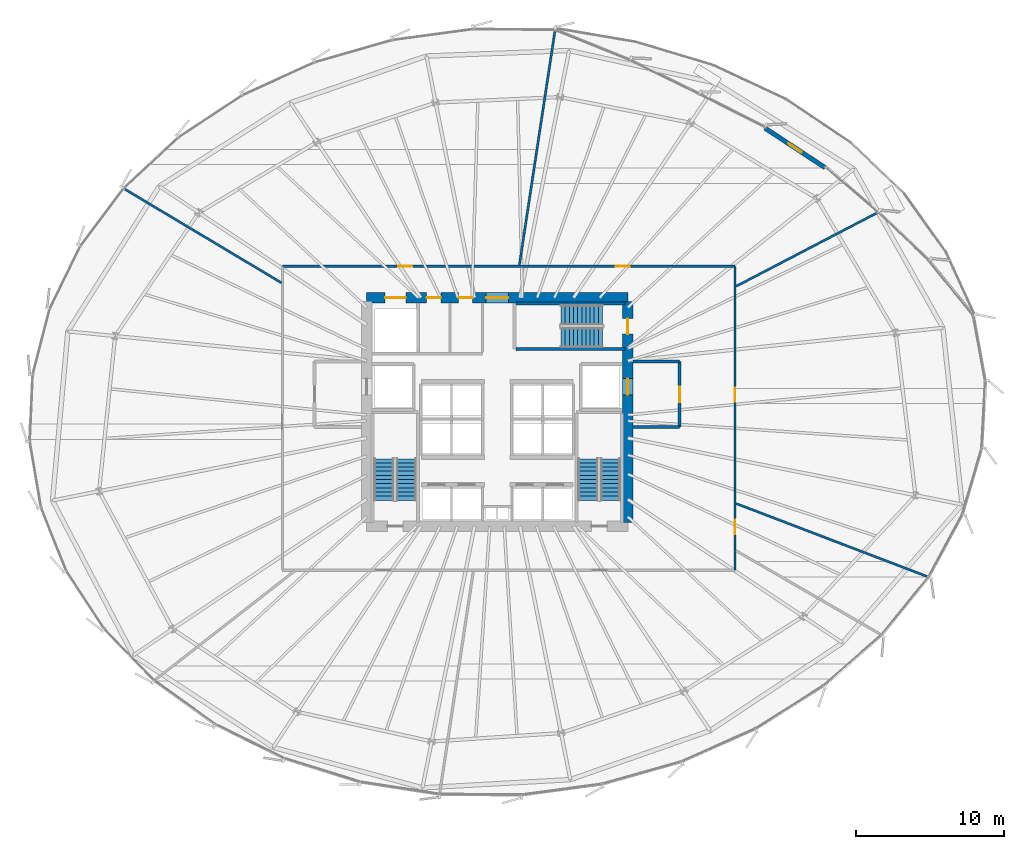
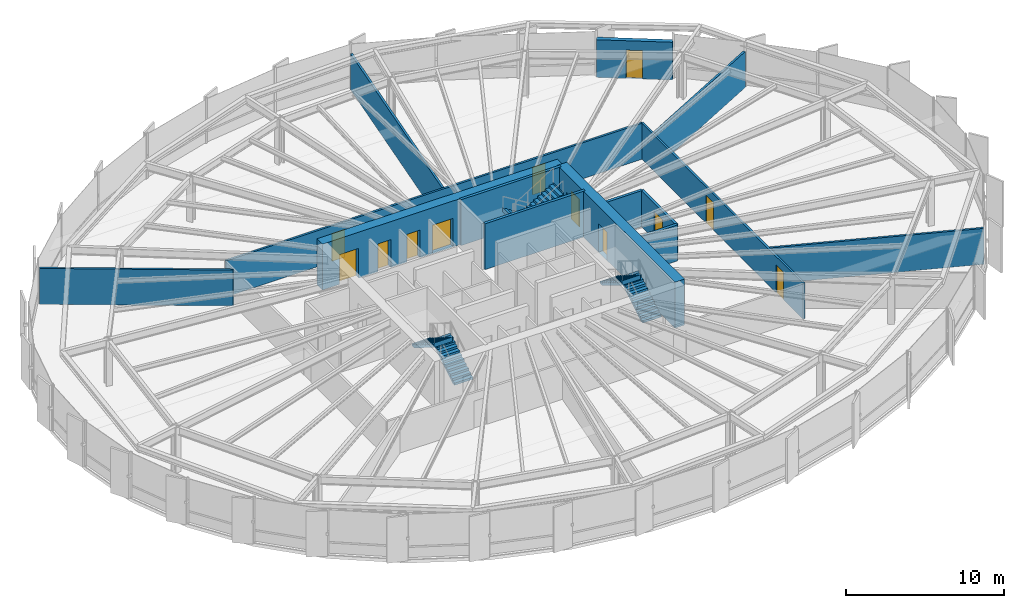
# One storey, part 33 of 39: 14 walls, 12 doors, 6 stair flights, 12 openings, 3 elements without a shape of their own.
"""IFC4 building model written with IfcOpenShell, lengths in metres."""

import ifcopenshell
import ifcopenshell.guid

model = None  # the IFC model being written
_history = None  # IfcOwnerHistory: only IFC2X3 demands one
_inside = {}  # id of a spatial element -> (the spatial element, [elements in it])
_under = {}  # id of a project, library or spatial element -> (it, [spatial elements below it])
_declared = {}  # id of a project -> (the project, [libraries it declares])
_typed = {}  # id of a type object -> (the type object, [elements of that type])
_made_of = {}  # id of a material, layer set ... -> (it, [elements and type objects made of it])


def new_model(schema):
    """Start an empty IFC model of exactly this schema.

    Asked for "IFC4X3", IfcOpenShell would pick the latest addendum, in which some entities
    have other attributes; the version numbers below select the first issue.
    IFC2X3 requires an IfcOwnerHistory on every rooted entity: one is made here for all.
    """
    global model, _history
    if schema == "IFC4X3":
        model = ifcopenshell.file(schema_version=(4, 3, 0, 0))
    else:
        model = ifcopenshell.file(schema=schema)
    _inside.clear()
    _under.clear()
    _declared.clear()
    _typed.clear()
    _made_of.clear()
    _history = None
    if model.schema == "IFC2X3":
        org = make("IfcOrganization", Name="unknown")
        user = make(
            "IfcPersonAndOrganization",
            ThePerson=make("IfcPerson", FamilyName="unknown"),
            TheOrganization=org,
        )
        app = make(
            "IfcApplication",
            ApplicationDeveloper=org,
            Version="unknown",
            ApplicationFullName="unknown",
            ApplicationIdentifier="unknown",
        )
        _history = make(
            "IfcOwnerHistory",
            OwningUser=user,
            OwningApplication=app,
            ChangeAction="ADDED",
            CreationDate=0,
        )
    return model


def make(cls, **values):
    """One entity of the class cls with the attributes given. An attribute that is None is left unset."""
    return model.create_entity(
        cls, **{name: value for name, value in values.items() if value is not None}
    )


def rooted(cls, **values):
    """An entity with a GlobalId (a new one), such as an element, a storey or a relation."""
    return make(cls, GlobalId=ifcopenshell.guid.new(), OwnerHistory=_history, **values)


def si_unit(unit_type, name, prefix=None):
    """IfcSIUnit, for example si_unit("LENGTHUNIT", "METRE", prefix="MILLI")."""
    return make("IfcSIUnit", UnitType=unit_type, Prefix=prefix, Name=name)


def assignment(units):
    """IfcUnitAssignment: the units of a project."""
    return None if units is None else make("IfcUnitAssignment", Units=units)


def point(xyz):
    """IfcCartesianPoint."""
    return None if xyz is None else make("IfcCartesianPoint", Coordinates=xyz)


def direction(xyz):
    """IfcDirection."""
    return None if xyz is None else make("IfcDirection", DirectionRatios=xyz)


def frame(location, z_axis=None, x_axis=None):
    """IfcAxis2Placement3D, a coordinate frame: its origin and axes. An axis left out is left unset."""
    return make(
        "IfcAxis2Placement3D",
        Location=point(location),
        Axis=direction(z_axis),
        RefDirection=direction(x_axis),
    )


def frame_2d(location, x_axis=None):
    """IfcAxis2Placement2D, a coordinate frame in the plane: its origin and x axis."""
    return make(
        "IfcAxis2Placement2D", Location=point(location), RefDirection=direction(x_axis)
    )


def origin():
    """The frame at (0, 0, 0) with its axes left unset."""
    return frame((0.0, 0.0, 0.0))


def place(relative_to, where):
    """IfcLocalPlacement: puts the frame where relative to a parent placement (None: the world)."""
    return make(
        "IfcLocalPlacement", PlacementRelTo=relative_to, RelativePlacement=where
    )


def context(
    kind, dimensions, precision=None, world=None, true_north=None, identifier=None
):
    """IfcGeometricRepresentationContext, for example the 3D "Model" context."""
    return make(
        "IfcGeometricRepresentationContext",
        ContextIdentifier=identifier,
        ContextType=kind,
        CoordinateSpaceDimension=dimensions,
        Precision=precision,
        WorldCoordinateSystem=world,
        TrueNorth=true_north,
    )


def subcontext(parent, identifier, kind, view, scale=None):
    """IfcGeometricRepresentationSubContext, for example "Body" below "Model"."""
    return make(
        "IfcGeometricRepresentationSubContext",
        ContextIdentifier=identifier,
        ContextType=kind,
        ParentContext=parent,
        TargetScale=scale,
        TargetView=view,
    )


def project(units=None, contexts=None):
    """IfcProject with its units and contexts."""
    return rooted(
        "IfcProject",
        Name="project",
        RepresentationContexts=contexts,
        UnitsInContext=assignment(units),
    )


def spatial(cls, under=None, at=None, **own):
    """A site, building, storey or space (cls), placed at a placement, below another one or the project."""
    s = rooted(cls, ObjectPlacement=at, **own)
    if under is not None:
        _under.setdefault(under.id(), (under, []))[1].append(s)
    return s


def polyline(points):
    """IfcPolyline through the points."""
    return make("IfcPolyline", Points=[point(p) for p in points])


def profile(cls, at=None, kind="AREA", **sizes):
    """A parametric profile (cls). Its sizes go by their IFC names, for example OverallWidth=200.0."""
    return make(cls, ProfileType=kind, Position=at, **sizes)


def rectangle(**sizes):
    """IfcRectangleProfileDef."""
    return profile("IfcRectangleProfileDef", **sizes)


def outline(outer, holes=None, kind="AREA"):
    """IfcArbitraryClosedProfileDef: a profile drawn as a closed curve; with holes, ...WithVoids."""
    if holes is None:
        return make("IfcArbitraryClosedProfileDef", ProfileType=kind, OuterCurve=outer)
    return make(
        "IfcArbitraryProfileDefWithVoids",
        ProfileType=kind,
        OuterCurve=outer,
        InnerCurves=holes,
    )


def extrude(swept, where, along, depth):
    """IfcExtrudedAreaSolid: the profile swept, set in the frame where, extruded along a direction by depth."""
    return make(
        "IfcExtrudedAreaSolid",
        SweptArea=swept,
        Position=where,
        ExtrudedDirection=direction(along),
        Depth=depth,
    )


def shape(context_of_items, identifier, shape_type, items):
    """IfcShapeRepresentation: the items that make up one representation, for example the "Body"."""
    return make(
        "IfcShapeRepresentation",
        ContextOfItems=context_of_items,
        RepresentationIdentifier=identifier,
        RepresentationType=shape_type,
        Items=items,
    )


def source(mapping_origin, context_of_items, identifier, shape_type, items):
    """IfcRepresentationMap: a shape defined once, which mapped items show again and again."""
    return make(
        "IfcRepresentationMap",
        MappingOrigin=mapping_origin,
        MappedRepresentation=shape(context_of_items, identifier, shape_type, items),
    )


def transform(
    local_origin,
    x_axis=None,
    y_axis=None,
    z_axis=None,
    scale=None,
    scale2=None,
    scale3=None,
    uniform=True,
):
    """IfcCartesianTransformationOperator3D, or its non-uniform kind. x_axis, y_axis, z_axis: its Axis1, 2, 3."""
    if uniform:
        return make(
            "IfcCartesianTransformationOperator3D",
            Axis1=direction(x_axis),
            Axis2=direction(y_axis),
            LocalOrigin=point(local_origin),
            Scale=scale,
            Axis3=direction(z_axis),
        )
    return make(
        "IfcCartesianTransformationOperator3DnonUniform",
        Axis1=direction(x_axis),
        Axis2=direction(y_axis),
        LocalOrigin=point(local_origin),
        Scale=scale,
        Axis3=direction(z_axis),
        Scale2=scale2,
        Scale3=scale3,
    )


def mapped(mapping_source, mapping_target):
    """IfcMappedItem: shows the shape of a source again, moved by a transform."""
    return make(
        "IfcMappedItem", MappingSource=mapping_source, MappingTarget=mapping_target
    )


def material(Name=None, Category=None):
    """IfcMaterial."""
    return make("IfcMaterial", Name=Name, Category=Category)


def layer(
    of_material, thickness, ventilated=None, Name=None, Category=None, Priority=None
):
    """IfcMaterialLayer: one layer of a wall or slab, of a material (None: an air gap)."""
    return make(
        "IfcMaterialLayer",
        Material=of_material,
        LayerThickness=thickness,
        IsVentilated=ventilated,
        Name=Name,
        Category=Category,
        Priority=Priority,
    )


def layer_set(layers, Name=None):
    """IfcMaterialLayerSet."""
    return make("IfcMaterialLayerSet", MaterialLayers=layers, LayerSetName=Name)


def made_of(thing, what):
    """Note that an element or type object is made of a material, layer set ...; save() writes the relation."""
    if what is not None:
        _made_of.setdefault(what.id(), (what, []))[1].append(thing)
    return thing


def type_object(cls, material=None, **own):
    """A type object (cls), such as IfcWallType, which elements share."""
    return made_of(rooted(cls, **own), material)


def element(
    cls,
    number,
    at=None,
    inside=None,
    cuts=None,
    type_object=None,
    material=None,
    context=None,
    identifier="Body",
    shape_type=None,
    held_by="IfcProductDefinitionShape",
    body=None,
    shapes=None,
    **own,
):
    """One element of the class cls, such as IfcWall. Its Tag is "e" and its number.

    at: its placement. inside: the storey or other place that contains it. cuts: it is an
    opening in that element (IfcRelVoidsElement). A single representation is given by context,
    identifier, shape_type and body (its items); several are given by shapes. held_by: the class
    of the entity that holds the representations. save() writes the other relations.
    """
    e = rooted(cls, Tag="e%d" % number, ObjectPlacement=at, **own)
    if body is not None:
        shapes = [shape(context, identifier, shape_type, body)]
    if shapes is not None:
        e.Representation = make(held_by, Representations=shapes)
    if inside is not None:
        _inside.setdefault(inside.id(), (inside, []))[1].append(e)
    if cuts is not None:
        rooted(
            "IfcRelVoidsElement", RelatingBuildingElement=cuts, RelatedOpeningElement=e
        )
    if type_object is not None:
        _typed.setdefault(type_object.id(), (type_object, []))[1].append(e)
    return made_of(e, material)


def fill(opening, filler):
    """IfcRelFillsElement: the door or window that sits in an opening."""
    return rooted(
        "IfcRelFillsElement",
        RelatingOpeningElement=opening,
        RelatedBuildingElement=filler,
    )


def aggregate(whole, parts):
    """IfcRelAggregates: a whole, such as a stair, and the parts it consists of."""
    return rooted("IfcRelAggregates", RelatingObject=whole, RelatedObjects=parts)


def save(model, path):
    """Write the relations noted so far, then the file.

    IfcRelAggregates (storeys below a building ...), IfcRelContainedInSpatialStructure (elements
    in a storey), IfcRelDefinesByType, IfcRelAssociatesMaterial and IfcRelDeclares: one each for
    every whole, place, type object, material and project.
    """
    for whole, parts in _under.values():
        aggregate(whole, parts)
    for where, things in _inside.values():
        rooted(
            "IfcRelContainedInSpatialStructure",
            RelatedElements=things,
            RelatingStructure=where,
        )
    for kind, things in _typed.values():
        rooted("IfcRelDefinesByType", RelatedObjects=things, RelatingType=kind)
    for what, things in _made_of.values():
        rooted("IfcRelAssociatesMaterial", RelatedObjects=things, RelatingMaterial=what)
    for by, libraries in _declared.values():
        rooted("IfcRelDeclares", RelatingContext=by, RelatedDefinitions=libraries)
    model.write(path)


model = new_model("IFC4")

# Units and contexts
model_context = context("Model", 3, precision=1e-05, world=origin(), true_north=direction((0.0, 1.0)))
body_context = subcontext(model_context, "Body", "Model", "MODEL_VIEW")
ifc_project = project(units=[si_unit("LENGTHUNIT", "METRE"), si_unit("AREAUNIT", "SQUARE_METRE"), si_unit("VOLUMEUNIT", "CUBIC_METRE"), si_unit("PLANEANGLEUNIT", "RADIAN"), si_unit("MASSUNIT", "GRAM", prefix="KILO"), si_unit("THERMODYNAMICTEMPERATUREUNIT", "KELVIN")], contexts=[model_context])

# Site, building, storey
site_placement = place(None, origin())
site = spatial("IfcSite", under=ifc_project, at=site_placement, CompositionType="ELEMENT")
building_placement = place(site_placement, origin())
building = spatial("IfcBuilding", under=site, at=building_placement, Name="Kethvar Cultural Tower", CompositionType="ELEMENT")
storey_placement = place(building_placement, frame((0.0, 0.0, 44.800048828125)))
storey = spatial("IfcBuildingStorey", under=building, at=storey_placement, Name="L10", CompositionType="ELEMENT", Elevation=44.800048828125)

# Wall, openings, doors
ifc_material_1 = material(Name="Concrete C60/75", Category="concrete")
ifc_layer_1 = layer(ifc_material_1, 0.699951171875, Name="Concrete C60/75", Category="concrete")
ifc_layer_set_1 = layer_set([ifc_layer_1], Name="Concrete C60/75 (700 mm)")
wall_type_1 = type_object("IfcWallType", Name="WL-CORE-700", PredefinedType="SHEAR", material=ifc_layer_set_1)
wall_1_placement = place(storey_placement, frame((55.60009765625, 35.5, 0.0), z_axis=(0.0, 0.0, 1.0), x_axis=(-1.0, 0.0, 0.0)))
wall_1 = element("IfcWall", 1, at=wall_1_placement, inside=storey, type_object=wall_type_1, Name="L10 Core Shear Wall N", PredefinedType="SHEAR", context=body_context, shape_type="SweptSolid", body=[
    extrude(rectangle(XDim=17.60009765625, YDim=0.699951171875, at=frame_2d((8.800048828125, 0.0))), origin(), (0.0, 0.0, 1.0), 3.550048828125),
])
opening_1_placement = place(wall_1_placement, frame((8.050048828125, 0.0, 0.0)))
opening_1 = element("IfcOpeningElement", 2, at=opening_1_placement, cuts=wall_1, Name="Opening D-L10-LN", PredefinedType="OPENING", context=body_context, shape_type="SweptSolid", body=[
    extrude(rectangle(XDim=1.5, YDim=2.199951171875, at=frame_2d((0.75, 1.10009765625))), frame((0.0, 0.35986328125, 0.0), z_axis=(0.0, -1.0, 0.0), x_axis=(1.0, 0.0, 0.0)), (0.0, 0.0, 1.0), 0.719970703125),
])
opening_2_placement = place(wall_1_placement, frame((14.949951171875, 0.0, 0.0)))
opening_2 = element("IfcOpeningElement", 3, at=opening_2_placement, cuts=wall_1, Name="Opening LD-G1", PredefinedType="OPENING", context=body_context, shape_type="SweptSolid", body=[
    extrude(rectangle(XDim=1.39990234375, YDim=2.300048828125, at=frame_2d((0.699951171875, 1.14990234375))), frame((0.0, 0.35986328125, 0.0), z_axis=(0.0, -1.0, 0.0), x_axis=(1.0, 0.0, 0.0)), (0.0, 0.0, 1.0), 0.719970703125),
])
opening_3_placement = place(wall_1_placement, frame((12.60009765625, 0.0, 0.0)))
opening_3 = element("IfcOpeningElement", 4, at=opening_3_placement, cuts=wall_1, Name="Opening D-L10-W1", PredefinedType="OPENING", context=body_context, shape_type="SweptSolid", body=[
    extrude(rectangle(XDim=0.949951171875, YDim=2.14990234375, at=frame_2d((0.47509765625, 1.074951171875))), frame((0.0, 0.35986328125, 0.0), z_axis=(0.0, -1.0, 0.0), x_axis=(1.0, 0.0, 0.0)), (0.0, 0.0, 1.0), 0.719970703125),
])
opening_4_placement = place(wall_1_placement, frame((10.449951171875, 0.0, 0.0)))
opening_4 = element("IfcOpeningElement", 5, at=opening_4_placement, cuts=wall_1, Name="Opening D-L10-W2", PredefinedType="OPENING", context=body_context, shape_type="SweptSolid", body=[
    extrude(rectangle(XDim=0.949951171875, YDim=2.14990234375, at=frame_2d((0.47509765625, 1.074951171875))), frame((0.0, 0.35986328125, 0.0), z_axis=(0.0, -1.0, 0.0), x_axis=(1.0, 0.0, 0.0)), (0.0, 0.0, 1.0), 0.719970703125),
])
ifc_material_2 = material(Name="Architectural Oak Timber", Category="wood")
door_type_1 = type_object("IfcDoorType", Name="DR-DBL-FD60-1500", OperationType="DOUBLE_DOOR_SINGLE_SWING", PredefinedType="DOOR", material=ifc_material_2)
shared_shape_1 = source(origin(), body_context, "Body", "SweptSolid", [
    extrude(rectangle(XDim=1.5, YDim=2.199951171875, at=frame_2d((0.75, 1.10009765625))), frame((0.0, 0.02490234375, 0.0), z_axis=(0.0, -1.0, 0.0), x_axis=(1.0, 0.0, 0.0)), (0.0, 0.0, 1.0), 0.050048828125),
])
door_1_placement = place(opening_1_placement, origin())
door_1 = element("IfcDoor", 6, at=door_1_placement, inside=storey, type_object=door_type_1, Name="L10 Lift Lobby Concourse Door", OperationType="DOUBLE_DOOR_SINGLE_SWING", OverallHeight=2.199951171875, OverallWidth=1.5, PredefinedType="DOOR", context=body_context, shape_type="MappedRepresentation", body=[
    mapped(shared_shape_1, transform((0.0, 0.0, 0.0), scale=1.0)),
])
fill(opening_1, door_1)
ifc_material_3 = material(Name="Steel S355J2", Category="steel")
door_type_2 = type_object("IfcDoorType", Name="DR-LIFT-SLIDE-1400", OperationType="NOTDEFINED", PredefinedType="DOOR", material=ifc_material_3)
shared_shape_2 = source(origin(), body_context, "Body", "SweptSolid", [
    extrude(rectangle(XDim=1.39990234375, YDim=2.300048828125, at=frame_2d((0.699951171875, 1.14990234375))), frame((0.0, 0.02490234375, 0.0), z_axis=(0.0, -1.0, 0.0), x_axis=(1.0, 0.0, 0.0)), (0.0, 0.0, 1.0), 0.050048828125),
])
door_2_placement = place(opening_2_placement, origin())
door_2 = element("IfcDoor", 7, at=door_2_placement, inside=storey, type_object=door_type_2, Name="L10 Goods Lift Landing Door", OperationType="SLIDING_TO_RIGHT", OverallHeight=2.300048828125, OverallWidth=1.39990234375, PredefinedType="DOOR", context=body_context, shape_type="MappedRepresentation", body=[
    mapped(shared_shape_2, transform((0.0, 0.0, 0.0), scale=1.0)),
])
fill(opening_2, door_2)
door_type_3 = type_object("IfcDoorType", Name="DR-FD30-950", OperationType="NOTDEFINED", PredefinedType="DOOR", material=ifc_material_2)
shared_shape_3 = source(origin(), body_context, "Body", "SweptSolid", [
    extrude(rectangle(XDim=0.949951171875, YDim=2.14990234375, at=frame_2d((0.47509765625, 1.074951171875))), frame((0.0, 0.02490234375, 0.0), z_axis=(0.0, -1.0, 0.0), x_axis=(1.0, 0.0, 0.0)), (0.0, 0.0, 1.0), 0.050048828125),
])
door_3_placement = place(opening_3_placement, origin())
door_3 = element("IfcDoor", 8, at=door_3_placement, inside=storey, type_object=door_type_3, Name="L10 Accessible Washroom Door", OperationType="SINGLE_SWING_LEFT", OverallHeight=2.14990234375, OverallWidth=0.949951171875, PredefinedType="DOOR", context=body_context, shape_type="MappedRepresentation", body=[
    mapped(shared_shape_3, transform((0.0, 0.0, 0.0), scale=1.0)),
])
fill(opening_3, door_3)
door_4_placement = place(opening_4_placement, origin())
door_4 = element("IfcDoor", 9, at=door_4_placement, inside=storey, type_object=door_type_3, Name="L10 Public Washroom Door", OperationType="SINGLE_SWING_RIGHT", OverallHeight=2.14990234375, OverallWidth=0.949951171875, PredefinedType="DOOR", context=body_context, shape_type="MappedRepresentation", body=[
    mapped(shared_shape_3, transform((0.0, 0.0, 0.0), scale=1.0)),
])
fill(opening_4, door_4)

wall_2_placement = place(storey_placement, frame((55.60009765625, 20.340087890625, 0.0), z_axis=(0.0, 0.0, 1.0), x_axis=(0.0, 1.0, 0.0)))
wall_2 = element("IfcWall", 10, at=wall_2_placement, inside=storey, type_object=wall_type_1, Name="L10 Core Shear Wall E", PredefinedType="SHEAR", context=body_context, shape_type="SweptSolid", body=[
    extrude(rectangle(XDim=14.919921875, YDim=0.699951171875, at=frame_2d((7.4599609375, 0.0))), origin(), (0.0, 0.0, 1.0), 3.550048828125),
])
opening_5_placement = place(wall_2_placement, frame((12.7099609375, 0.0, 0.0)))
opening_5 = element("IfcOpeningElement", 11, at=opening_5_placement, cuts=wall_2, Name="Opening D-L10-S3", PredefinedType="OPENING", context=body_context, shape_type="SweptSolid", body=[
    extrude(rectangle(XDim=1.050048828125, YDim=2.14990234375, at=frame_2d((0.52490234375, 1.074951171875))), frame((0.0, 0.35986328125, 0.0), z_axis=(0.0, -1.0, 0.0), x_axis=(1.0, 0.0, 0.0)), (0.0, 0.0, 1.0), 0.719970703125),
])
opening_6_placement = place(wall_2_placement, frame((8.610107421875, 0.0, 0.0)))
opening_6 = element("IfcOpeningElement", 12, at=opening_6_placement, cuts=wall_2, Name="Opening LD-2", PredefinedType="OPENING", context=body_context, shape_type="SweptSolid", body=[
    extrude(rectangle(XDim=1.10009765625, YDim=2.199951171875, at=frame_2d((0.550048828125, 1.10009765625))), frame((0.0, 0.35986328125, 0.0), z_axis=(0.0, -1.0, 0.0), x_axis=(1.0, 0.0, 0.0)), (0.0, 0.0, 1.0), 0.719970703125),
])
door_type_4 = type_object("IfcDoorType", Name="DR-FD60-1050", OperationType="NOTDEFINED", PredefinedType="DOOR", material=ifc_material_3)
shared_shape_4 = source(origin(), body_context, "Body", "SweptSolid", [
    extrude(rectangle(XDim=1.050048828125, YDim=2.14990234375, at=frame_2d((0.52490234375, 1.074951171875))), frame((0.0, 0.02490234375, 0.0), z_axis=(0.0, -1.0, 0.0), x_axis=(1.0, 0.0, 0.0)), (0.0, 0.0, 1.0), 0.050048828125),
])
door_5_placement = place(opening_5_placement, origin())
door_5 = element("IfcDoor", 13, at=door_5_placement, inside=storey, type_object=door_type_4, Name="L10 Exit Stair 3 Door", OperationType="SINGLE_SWING_LEFT", OverallHeight=2.14990234375, OverallWidth=1.050048828125, PredefinedType="DOOR", context=body_context, shape_type="MappedRepresentation", body=[
    mapped(shared_shape_4, transform((0.0, 0.0, 0.0), scale=1.0)),
])
fill(opening_5, door_5)
door_type_5 = type_object("IfcDoorType", Name="DR-LIFT-SLIDE-1100", OperationType="NOTDEFINED", PredefinedType="DOOR", material=ifc_material_3)
shared_shape_5 = source(origin(), body_context, "Body", "SweptSolid", [
    extrude(rectangle(XDim=1.10009765625, YDim=2.199951171875, at=frame_2d((0.550048828125, 1.10009765625))), frame((0.0, 0.02490234375, 0.0), z_axis=(0.0, -1.0, 0.0), x_axis=(1.0, 0.0, 0.0)), (0.0, 0.0, 1.0), 0.050048828125),
])
door_6_placement = place(opening_6_placement, origin())
door_6 = element("IfcDoor", 14, at=door_6_placement, inside=storey, type_object=door_type_5, Name="L10 Firefighting Lift Landing Door FFL-02", OperationType="SLIDING_TO_RIGHT", OverallHeight=2.199951171875, OverallWidth=1.10009765625, PredefinedType="DOOR", context=body_context, shape_type="MappedRepresentation", body=[
    mapped(shared_shape_5, transform((0.0, 0.0, 0.0), scale=1.0)),
])
fill(opening_6, door_6)

# Wall, opening, door
ifc_material_4 = material(Name="Concrete C40/50", Category="concrete")
ifc_layer_2 = layer(ifc_material_4, 0.300048828125, Name="Concrete C40/50", Category="concrete")
ifc_layer_set_2 = layer_set([ifc_layer_2], Name="Concrete C40/50 (300 mm)")
wall_type_2 = type_object("IfcWallType", Name="WL-EXT-TER-300", PredefinedType="SOLIDWALL", material=ifc_layer_set_2)
wall_3_placement = place(storey_placement, frame((64.850341796875, 46.933349609375, 0.0), z_axis=(0.0, 0.0, 1.0), x_axis=(0.835309232046, -0.549780398758, 0.0)))
wall_3 = element("IfcWall", 15, at=wall_3_placement, inside=storey, type_object=wall_type_2, Name="L10 Sky Terrace Access Wall", PredefinedType="SOLIDWALL", context=body_context, shape_type="SweptSolid", body=[
    extrude(rectangle(XDim=4.842041015625, YDim=0.300048828125, at=frame_2d((2.4208984375, 0.0))), origin(), (0.0, 0.0, 1.0), 2.925048828125),
])
opening_7_placement = place(wall_3_placement, frame((1.89599609375, 0.0, 0.0)))
opening_7 = element("IfcOpeningElement", 16, at=opening_7_placement, cuts=wall_3, Name="Opening D-L10-T1", PredefinedType="OPENING", context=body_context, shape_type="SweptSolid", body=[
    extrude(rectangle(XDim=1.050048828125, YDim=2.199951171875, at=frame_2d((0.52490234375, 1.10009765625))), frame((0.0, 0.159912109375, 0.0), z_axis=(0.0, -1.0, 0.0), x_axis=(1.0, 0.0, 0.0)), (0.0, 0.0, 1.0), 0.320068359375),
])
ifc_material_5 = material(Name="Aluminium 6063-T6", Category="aluminium")
door_type_6 = type_object("IfcDoorType", Name="DR-EXT-TER-1050", OperationType="NOTDEFINED", PredefinedType="DOOR", material=ifc_material_5)
shared_shape_6 = source(origin(), body_context, "Body", "SweptSolid", [
    extrude(rectangle(XDim=1.050048828125, YDim=2.199951171875, at=frame_2d((0.52490234375, 1.10009765625))), frame((0.0, 0.02490234375, 0.0), z_axis=(0.0, -1.0, 0.0), x_axis=(1.0, 0.0, 0.0)), (0.0, 0.0, 1.0), 0.050048828125),
])
door_7_placement = place(opening_7_placement, origin())
door_7 = element("IfcDoor", 17, at=door_7_placement, inside=storey, type_object=door_type_6, Name="L10 Sky Terrace Access Door D-L10-T1", OperationType="SINGLE_SWING_LEFT", OverallHeight=2.199951171875, OverallWidth=1.050048828125, PredefinedType="DOOR", context=body_context, shape_type="MappedRepresentation", body=[
    mapped(shared_shape_6, transform((0.0, 0.0, 0.0), scale=1.0)),
])
fill(opening_7, door_7)

# Wall, openings, doors
ifc_material_6 = material(Name="Gypsum Fireboard Partition")
ifc_layer_3 = layer(ifc_material_6, 0.14990234375, Name="Gypsum Fireboard Partition")
ifc_layer_set_3 = layer_set([ifc_layer_3], Name="Gypsum Fireboard Partition (150 mm)")
wall_type_3 = type_object("IfcWallType", Name="WL-FIRE-150", PredefinedType="PARTITIONING", material=ifc_layer_set_3)
wall_4_placement = place(storey_placement, frame((62.830078125, 17.139892578125, 0.0), z_axis=(0.0, 0.0, 1.0), x_axis=(0.0, 1.0, 0.0)))
wall_4 = element("IfcWall", 18, at=wall_4_placement, inside=storey, type_object=wall_type_3, Name="L10 Corridor Rated Wall E", PredefinedType="PARTITIONING", context=body_context, shape_type="SweptSolid", body=[
    extrude(rectangle(XDim=20.480224609375, YDim=0.14990234375, at=frame_2d((10.240234375, 0.0))), origin(), (0.0, 0.0, 1.0), 2.784912109375),
])
opening_8_placement = place(wall_4_placement, frame((2.43798828125, 0.0, 0.0)))
opening_8 = element("IfcOpeningElement", 19, at=opening_8_placement, cuts=wall_4, Name="Opening D-L10-03", PredefinedType="OPENING", context=body_context, shape_type="SweptSolid", body=[
    extrude(rectangle(XDim=0.949951171875, YDim=2.14990234375, at=frame_2d((0.47509765625, 1.074951171875))), frame((0.0, 0.0849609375, 0.0), z_axis=(0.0, -1.0, 0.0), x_axis=(1.0, 0.0, 0.0)), (0.0, 0.0, 1.0), 0.169921875),
])
opening_9_placement = place(wall_4_placement, frame((11.341064453125, 0.0, 0.0)))
opening_9 = element("IfcOpeningElement", 20, at=opening_9_placement, cuts=wall_4, Name="Opening D-L10-04", PredefinedType="OPENING", context=body_context, shape_type="SweptSolid", body=[
    extrude(rectangle(XDim=0.949951171875, YDim=2.14990234375, at=frame_2d((0.47509765625, 1.074951171875))), frame((0.0, 0.0849609375, 0.0), z_axis=(0.0, -1.0, 0.0), x_axis=(1.0, 0.0, 0.0)), (0.0, 0.0, 1.0), 0.169921875),
])
door_8_placement = place(opening_8_placement, origin())
door_8 = element("IfcDoor", 21, at=door_8_placement, inside=storey, type_object=door_type_3, Name="L10 Executive Boardroom 03 Door", OperationType="SINGLE_SWING_LEFT", OverallHeight=2.14990234375, OverallWidth=0.949951171875, PredefinedType="DOOR", context=body_context, shape_type="MappedRepresentation", body=[
    mapped(shared_shape_3, transform((0.0, 0.0, 0.0), scale=1.0)),
])
fill(opening_8, door_8)
door_9_placement = place(opening_9_placement, origin())
door_9 = element("IfcDoor", 22, at=door_9_placement, inside=storey, type_object=door_type_3, Name="L10 Fellowship Seminar Room 04 Door", OperationType="SINGLE_SWING_RIGHT", OverallHeight=2.14990234375, OverallWidth=0.949951171875, PredefinedType="DOOR", context=body_context, shape_type="MappedRepresentation", body=[
    mapped(shared_shape_3, transform((0.0, 0.0, 0.0), scale=1.0)),
])
fill(opening_9, door_9)

wall_5_placement = place(storey_placement, frame((62.830078125, 37.6201171875, 0.0), z_axis=(0.0, 0.0, 1.0), x_axis=(-1.0, 0.0, 0.0)))
wall_5 = element("IfcWall", 23, at=wall_5_placement, inside=storey, type_object=wall_type_3, Name="L10 Corridor Rated Wall N", PredefinedType="PARTITIONING", context=body_context, shape_type="SweptSolid", body=[
    extrude(rectangle(XDim=30.5, YDim=0.14990234375, at=frame_2d((15.25, 0.0))), origin(), (0.0, 0.0, 1.0), 2.784912109375),
])
opening_10_placement = place(wall_5_placement, frame((7.08935546875, 0.0, 0.0)))
opening_10 = element("IfcOpeningElement", 24, at=opening_10_placement, cuts=wall_5, Name="Opening D-L10-05", PredefinedType="OPENING", context=body_context, shape_type="SweptSolid", body=[
    extrude(rectangle(XDim=0.949951171875, YDim=2.14990234375, at=frame_2d((0.47509765625, 1.074951171875))), frame((0.0, 0.0849609375, 0.0), z_axis=(0.0, -1.0, 0.0), x_axis=(1.0, 0.0, 0.0)), (0.0, 0.0, 1.0), 0.169921875),
])
opening_11_placement = place(wall_5_placement, frame((21.7578125, 0.0, 0.0)))
opening_11 = element("IfcOpeningElement", 25, at=opening_11_placement, cuts=wall_5, Name="Opening D-L10-06", PredefinedType="OPENING", context=body_context, shape_type="SweptSolid", body=[
    extrude(rectangle(XDim=0.949951171875, YDim=2.14990234375, at=frame_2d((0.47509765625, 1.074951171875))), frame((0.0, 0.0849609375, 0.0), z_axis=(0.0, -1.0, 0.0), x_axis=(1.0, 0.0, 0.0)), (0.0, 0.0, 1.0), 0.169921875),
])
door_10_placement = place(opening_10_placement, origin())
door_10 = element("IfcDoor", 26, at=door_10_placement, inside=storey, type_object=door_type_3, Name="L10 Docent Espresso Pantry 05 Door", OperationType="SINGLE_SWING_LEFT", OverallHeight=2.14990234375, OverallWidth=0.949951171875, PredefinedType="DOOR", context=body_context, shape_type="MappedRepresentation", body=[
    mapped(shared_shape_3, transform((0.0, 0.0, 0.0), scale=1.0)),
])
fill(opening_10, door_10)
door_11_placement = place(opening_11_placement, origin())
door_11 = element("IfcDoor", 27, at=door_11_placement, inside=storey, type_object=door_type_3, Name="L10 Compact Archival Store 06 Door", OperationType="SINGLE_SWING_RIGHT", OverallHeight=2.14990234375, OverallWidth=0.949951171875, PredefinedType="DOOR", context=body_context, shape_type="MappedRepresentation", body=[
    mapped(shared_shape_3, transform((0.0, 0.0, 0.0), scale=1.0)),
])
fill(opening_11, door_11)

# Wall, opening, door
ifc_layer_4 = layer(ifc_material_4, 0.199951171875, Name="Concrete C40/50", Category="concrete")
ifc_layer_set_4 = layer_set([ifc_layer_4], Name="Concrete C40/50 (200 mm)")
wall_type_4 = type_object("IfcWallType", Name="WL-FIRE-200", PredefinedType="PARTITIONING", material=ifc_layer_set_4)
wall_6_placement = place(storey_placement, frame((59.10009765625, 26.800048828125, 0.0), z_axis=(0.0, 0.0, 1.0), x_axis=(0.0, 1.0, 0.0)))
wall_6 = element("IfcWall", 28, at=wall_6_placement, inside=storey, type_object=wall_type_4, Name="L10 Firefighting Lobby 2 Wall", PredefinedType="PARTITIONING", context=body_context, shape_type="SweptSolid", body=[
    extrude(rectangle(XDim=4.39990234375, YDim=0.199951171875, at=frame_2d((2.199951171875, 0.0))), origin(), (0.0, 0.0, 1.0), 2.784912109375),
])
opening_12_placement = place(wall_6_placement, frame((1.64990234375, 0.0, 0.0)))
opening_12 = element("IfcOpeningElement", 29, at=opening_12_placement, cuts=wall_6, Name="Opening D-L10-F2", PredefinedType="OPENING", context=body_context, shape_type="SweptSolid", body=[
    extrude(rectangle(XDim=1.050048828125, YDim=2.14990234375, at=frame_2d((0.52490234375, 1.074951171875))), frame((0.0, 0.10986328125, 0.0), z_axis=(0.0, -1.0, 0.0), x_axis=(1.0, 0.0, 0.0)), (0.0, 0.0, 1.0), 0.219970703125),
])
door_12_placement = place(opening_12_placement, origin())
door_12 = element("IfcDoor", 30, at=door_12_placement, inside=storey, type_object=door_type_4, Name="L10 Firefighting Lobby 2 Fire Door", OperationType="SINGLE_SWING_LEFT", OverallHeight=2.14990234375, OverallWidth=1.050048828125, PredefinedType="DOOR", context=body_context, shape_type="MappedRepresentation", body=[
    mapped(shared_shape_4, transform((0.0, 0.0, 0.0), scale=1.0)),
])
fill(opening_12, door_12)

# Walls
for number, where, z_axis, x_axis, name in (
    (31, (55.9599609375, 26.800048828125, 0.0), (0.0, 0.0, 1.0), (1.0, 0.0, 0.0), "L10 FF Lobby 2 South Wall"),
    (32, (55.9599609375, 31.199951171875, 0.0), (0.0, 0.0, 1.0), (1.0, 0.0, 0.0), "L10 FF Lobby 2 North Wall"),
):
    element("IfcWall", number, at=place(storey_placement, frame(where, z_axis=z_axis, x_axis=x_axis)), inside=storey, type_object=wall_type_4, Name=name, PredefinedType="PARTITIONING", context=body_context, shape_type="SweptSolid", body=[
        extrude(rectangle(XDim=3.14013671875, YDim=0.199951171875, at=frame_2d((1.570068359375, 0.0))), origin(), (0.0, 0.0, 1.0), 2.784912109375),
    ])
ifc_material_7 = material(Name="Gypsum Acoustic Partition")
ifc_layer_5 = layer(ifc_material_7, 0.14990234375, Name="Gypsum Acoustic Partition")
ifc_layer_set_5 = layer_set([ifc_layer_5], Name="Gypsum Acoustic Partition (150 mm)")
wall_type_5 = type_object("IfcWallType", Name="WL-PART-150", PredefinedType="PARTITIONING", material=ifc_layer_set_5)
wall_7_placement = place(storey_placement, frame((62.90478515625, 21.630615234375, 0.0), z_axis=(0.0, 0.0, 1.0), x_axis=(0.934219568854, -0.356698468137, 0.0)))
element("IfcWall", 33, at=wall_7_placement, inside=storey, type_object=wall_type_5, Name="L10 Radial Partition Wall 04", PredefinedType="PARTITIONING", context=body_context, shape_type="SweptSolid", body=[
    extrude(rectangle(XDim=13.758056640625, YDim=0.14990234375, at=frame_2d((6.87890625, 0.0))), origin(), (0.0, 0.0, 1.0), 2.784912109375),
])
wall_8_placement = place(storey_placement, frame((62.90087890625, 36.2734375, 0.0), z_axis=(0.0, 0.0, 1.0), x_axis=(0.886802298862, 0.462148983266, 0.0)))
element("IfcWall", 34, at=wall_8_placement, inside=storey, type_object=wall_type_5, Name="L10 Radial Partition Wall 05", PredefinedType="PARTITIONING", context=body_context, shape_type="SweptSolid", body=[
    extrude(rectangle(XDim=10.665283203125, YDim=0.14990234375, at=frame_2d((5.33251953125, 0.0))), origin(), (0.0, 0.0, 1.0), 2.784912109375),
])
wall_9_placement = place(storey_placement, frame((48.29296875, 37.69921875, 0.0), z_axis=(0.0, 0.0, 1.0), x_axis=(0.150173813807, 0.988659610608, 0.0)))
element("IfcWall", 35, at=wall_9_placement, inside=storey, type_object=wall_type_5, Name="L10 Radial Partition Wall 06", PredefinedType="PARTITIONING", context=body_context, shape_type="SweptSolid", body=[
    extrude(rectangle(XDim=15.9189453125, YDim=0.14990234375, at=frame_2d((7.95947265625, 0.0))), origin(), (0.0, 0.0, 1.0), 2.784912109375),
])
wall_10_placement = place(storey_placement, frame((32.26123046875, 36.509033203125, 0.0), z_axis=(0.0, 0.0, 1.0), x_axis=(-0.858371109645, 0.513029276092, 0.0)))
element("IfcWall", 36, at=wall_10_placement, inside=storey, type_object=wall_type_5, Name="L10 Radial Partition Wall 07", PredefinedType="PARTITIONING", context=body_context, shape_type="SweptSolid", body=[
    extrude(rectangle(XDim=12.27197265625, YDim=0.14990234375, at=frame_2d((6.135986328125, 0.0))), origin(), (0.0, 0.0, 1.0), 2.784912109375),
])
ifc_material_8 = material(Name="Concrete C50/60", Category="concrete")
ifc_layer_6 = layer(ifc_material_8, 0.199951171875, Name="Concrete C50/60", Category="concrete")
ifc_layer_set_6 = layer_set([ifc_layer_6], Name="Concrete C50/60 (200 mm)")
wall_type_6 = type_object("IfcWallType", Name="WL-STSHAFT-200", PredefinedType="SHEAR", material=ifc_layer_set_6)
for number, where, z_axis, x_axis, name in (
    (37, (48.050048828125, 35.110107421875, 0.0), (0.0, 0.0, 1.0), (1.0, 0.0, 0.0), "L10 ST-03 Stair Shaft Wall LEFT"),
    (38, (55.39990234375, 32.050048828125, 0.0), (0.0, 0.0, 1.0), (-1.0, 0.0, 0.0), "L10 ST-03 Stair Shaft Wall RIGHT"),
):
    element("IfcWall", number, at=place(storey_placement, frame(where, z_axis=z_axis, x_axis=x_axis)), inside=storey, type_object=wall_type_6, Name=name, PredefinedType="SHEAR", context=body_context, shape_type="SweptSolid", body=[
        extrude(rectangle(XDim=7.349853515625, YDim=0.199951171875, at=frame_2d((3.6748046875, 0.0))), origin(), (0.0, 0.0, 1.0), 3.550048828125),
    ])

# Stair, stair flights
stair_type = type_object("IfcStairType", Name="ST-DOGLEG-135", PredefinedType="HALF_TURN_STAIR", material=ifc_material_4)
stair_1_placement = place(storey_placement, origin())
stair_1 = element("IfcStair", 39, at=stair_1_placement, inside=storey, type_object=stair_type, Name="L10 Core Exit Stair 1", PredefinedType="HALF_TURN_STAIR")
stair_flight_type = type_object("IfcStairFlightType", Name="FL-STRAIGHT-135", PredefinedType="STRAIGHT", material=ifc_material_4)
stair_flight_1_placement = place(storey_placement, frame((40.675048828125, 21.85009765625, 0.0), z_axis=(0.0, 0.0, 1.0), x_axis=(0.0, 1.0, 0.0)))
stair_flight_1 = element("IfcStairFlight", 40, at=stair_flight_1_placement, type_object=stair_flight_type, Name="ST-01 flight 1", NumberOfRisers=11, NumberOfTreads=10, PredefinedType="STRAIGHT", RiserHeight=0.172727273, TreadLength=0.28, context=body_context, shape_type="SweptSolid", body=[
    extrude(outline(polyline([(-0.0009765625, -0.0009765625), (-0.0009765625, 0.172607421875), (0.280029296875, 0.172607421875), (0.280029296875, 0.345458984375), (0.56005859375, 0.345458984375), (0.56005859375, 0.51806640625), (0.840087890625, 0.51806640625), (0.840087890625, 0.69091796875), (1.1201171875, 0.69091796875), (1.1201171875, 0.863525390625), (1.39990234375, 0.863525390625), (1.39990234375, 1.036376953125), (1.679931640625, 1.036376953125), (1.679931640625, 1.208984375), (1.9599609375, 1.208984375), (1.9599609375, 1.3818359375), (2.239990234375, 1.3818359375), (2.239990234375, 1.554443359375), (2.52001953125, 1.554443359375), (2.52001953125, 1.727294921875), (2.800048828125, 1.727294921875), (2.800048828125, 1.89990234375), (2.801025390625, 1.89990234375), (2.801025390625, 1.551025390625), (0.285400390625, 0.0), (0.0, -0.0009765625), (-0.0009765625, -0.0009765625)])), frame((0.0, 0.675048828125, 0.0), z_axis=(0.0, -1.0, 0.0), x_axis=(1.0, 0.0, 0.0)), (0.0, 0.0, 1.0), 1.35009765625),
])
stair_flight_2_placement = place(storey_placement, frame((39.1650390625, 24.64990234375, 1.89990234375), z_axis=(0.0, 0.0, 1.0), x_axis=(0.0, -1.0, 0.0)))
stair_flight_2 = element("IfcStairFlight", 41, at=stair_flight_2_placement, type_object=stair_flight_type, Name="ST-01 flight 2", NumberOfRisers=11, NumberOfTreads=10, PredefinedType="STRAIGHT", RiserHeight=0.172727273, TreadLength=0.28, context=body_context, shape_type="SweptSolid", body=[
    extrude(outline(polyline([(-0.0009765625, -0.0009765625), (-0.0009765625, 0.172607421875), (0.280029296875, 0.172607421875), (0.280029296875, 0.345458984375), (0.56005859375, 0.345458984375), (0.56005859375, 0.51806640625), (0.840087890625, 0.51806640625), (0.840087890625, 0.69091796875), (1.1201171875, 0.69091796875), (1.1201171875, 0.863525390625), (1.39990234375, 0.863525390625), (1.39990234375, 1.036376953125), (1.679931640625, 1.036376953125), (1.679931640625, 1.208984375), (1.9599609375, 1.208984375), (1.9599609375, 1.3818359375), (2.239990234375, 1.3818359375), (2.239990234375, 1.554443359375), (2.52001953125, 1.554443359375), (2.52001953125, 1.727294921875), (2.800048828125, 1.727294921875), (2.800048828125, 1.89990234375), (2.801025390625, 1.89990234375), (2.801025390625, 1.551025390625), (0.285400390625, 0.0), (0.0, -0.0009765625), (-0.0009765625, -0.0009765625)])), frame((0.0, 0.675048828125, 0.0), z_axis=(0.0, -1.0, 0.0), x_axis=(1.0, 0.0, 0.0)), (0.0, 0.0, 1.0), 1.35009765625),
])
aggregate(stair_1, [stair_flight_1, stair_flight_2])

stair_2_placement = place(storey_placement, origin())
stair_2 = element("IfcStair", 42, at=stair_2_placement, inside=storey, type_object=stair_type, Name="L10 Core Exit Stair 2", PredefinedType="HALF_TURN_STAIR")
stair_flight_3_placement = place(storey_placement, frame((54.43505859375, 21.85009765625, 0.0), z_axis=(0.0, 0.0, 1.0), x_axis=(0.0, 1.0, 0.0)))
stair_flight_3 = element("IfcStairFlight", 43, at=stair_flight_3_placement, type_object=stair_flight_type, Name="ST-02 flight 1", NumberOfRisers=11, NumberOfTreads=10, PredefinedType="STRAIGHT", RiserHeight=0.172727273, TreadLength=0.28, context=body_context, shape_type="SweptSolid", body=[
    extrude(outline(polyline([(-0.0009765625, -0.0009765625), (-0.0009765625, 0.172607421875), (0.280029296875, 0.172607421875), (0.280029296875, 0.345458984375), (0.56005859375, 0.345458984375), (0.56005859375, 0.51806640625), (0.840087890625, 0.51806640625), (0.840087890625, 0.69091796875), (1.1201171875, 0.69091796875), (1.1201171875, 0.863525390625), (1.39990234375, 0.863525390625), (1.39990234375, 1.036376953125), (1.679931640625, 1.036376953125), (1.679931640625, 1.208984375), (1.9599609375, 1.208984375), (1.9599609375, 1.3818359375), (2.239990234375, 1.3818359375), (2.239990234375, 1.554443359375), (2.52001953125, 1.554443359375), (2.52001953125, 1.727294921875), (2.800048828125, 1.727294921875), (2.800048828125, 1.89990234375), (2.801025390625, 1.89990234375), (2.801025390625, 1.551025390625), (0.285400390625, 0.0), (0.0, -0.0009765625), (-0.0009765625, -0.0009765625)])), frame((0.0, 0.675048828125, 0.0), z_axis=(0.0, -1.0, 0.0), x_axis=(1.0, 0.0, 0.0)), (0.0, 0.0, 1.0), 1.35009765625),
])
stair_flight_4_placement = place(storey_placement, frame((52.925048828125, 24.64990234375, 1.89990234375), z_axis=(0.0, 0.0, 1.0), x_axis=(0.0, -1.0, 0.0)))
stair_flight_4 = element("IfcStairFlight", 44, at=stair_flight_4_placement, type_object=stair_flight_type, Name="ST-02 flight 2", NumberOfRisers=11, NumberOfTreads=10, PredefinedType="STRAIGHT", RiserHeight=0.172727273, TreadLength=0.28, context=body_context, shape_type="SweptSolid", body=[
    extrude(outline(polyline([(-0.0009765625, -0.0009765625), (-0.0009765625, 0.172607421875), (0.280029296875, 0.172607421875), (0.280029296875, 0.345458984375), (0.56005859375, 0.345458984375), (0.56005859375, 0.51806640625), (0.840087890625, 0.51806640625), (0.840087890625, 0.69091796875), (1.1201171875, 0.69091796875), (1.1201171875, 0.863525390625), (1.39990234375, 0.863525390625), (1.39990234375, 1.036376953125), (1.679931640625, 1.036376953125), (1.679931640625, 1.208984375), (1.9599609375, 1.208984375), (1.9599609375, 1.3818359375), (2.239990234375, 1.3818359375), (2.239990234375, 1.554443359375), (2.52001953125, 1.554443359375), (2.52001953125, 1.727294921875), (2.800048828125, 1.727294921875), (2.800048828125, 1.89990234375), (2.801025390625, 1.89990234375), (2.801025390625, 1.551025390625), (0.285400390625, 0.0), (0.0, -0.0009765625), (-0.0009765625, -0.0009765625)])), frame((0.0, 0.675048828125, 0.0), z_axis=(0.0, -1.0, 0.0), x_axis=(1.0, 0.0, 0.0)), (0.0, 0.0, 1.0), 1.35009765625),
])
aggregate(stair_2, [stair_flight_3, stair_flight_4])

stair_3_placement = place(storey_placement, origin())
stair_3 = element("IfcStair", 45, at=stair_3_placement, inside=storey, type_object=stair_type, Name="L10 Core Exit Stair 3", PredefinedType="HALF_TURN_STAIR")
stair_flight_5_placement = place(storey_placement, frame((53.89990234375, 34.3349609375, 0.0), z_axis=(0.0, 0.0, 1.0), x_axis=(-1.0, 0.0, 0.0)))
stair_flight_5 = element("IfcStairFlight", 46, at=stair_flight_5_placement, type_object=stair_flight_type, Name="ST-03 flight 1", NumberOfRisers=11, NumberOfTreads=10, PredefinedType="STRAIGHT", RiserHeight=0.172727273, TreadLength=0.28, context=body_context, shape_type="SweptSolid", body=[
    extrude(outline(polyline([(-0.0009765625, -0.0009765625), (-0.0009765625, 0.172607421875), (0.280029296875, 0.172607421875), (0.280029296875, 0.345458984375), (0.56005859375, 0.345458984375), (0.56005859375, 0.51806640625), (0.840087890625, 0.51806640625), (0.840087890625, 0.69091796875), (1.1201171875, 0.69091796875), (1.1201171875, 0.863525390625), (1.39990234375, 0.863525390625), (1.39990234375, 1.036376953125), (1.679931640625, 1.036376953125), (1.679931640625, 1.208984375), (1.9599609375, 1.208984375), (1.9599609375, 1.3818359375), (2.239990234375, 1.3818359375), (2.239990234375, 1.554443359375), (2.52001953125, 1.554443359375), (2.52001953125, 1.727294921875), (2.800048828125, 1.727294921875), (2.800048828125, 1.89990234375), (2.801025390625, 1.89990234375), (2.801025390625, 1.551025390625), (0.285400390625, 0.0), (0.0, -0.0009765625), (-0.0009765625, -0.0009765625)])), frame((0.0, 0.675048828125, 0.0), z_axis=(0.0, -1.0, 0.0), x_axis=(1.0, 0.0, 0.0)), (0.0, 0.0, 1.0), 1.35009765625),
])
stair_flight_6_placement = place(storey_placement, frame((51.10009765625, 32.824951171875, 1.89990234375), z_axis=(0.0, 0.0, 1.0), x_axis=(1.0, 0.0, 0.0)))
stair_flight_6 = element("IfcStairFlight", 47, at=stair_flight_6_placement, type_object=stair_flight_type, Name="ST-03 flight 2", NumberOfRisers=11, NumberOfTreads=10, PredefinedType="STRAIGHT", RiserHeight=0.172727273, TreadLength=0.28, context=body_context, shape_type="SweptSolid", body=[
    extrude(outline(polyline([(-0.0009765625, -0.0009765625), (-0.0009765625, 0.172607421875), (0.280029296875, 0.172607421875), (0.280029296875, 0.345458984375), (0.56005859375, 0.345458984375), (0.56005859375, 0.51806640625), (0.840087890625, 0.51806640625), (0.840087890625, 0.69091796875), (1.1201171875, 0.69091796875), (1.1201171875, 0.863525390625), (1.39990234375, 0.863525390625), (1.39990234375, 1.036376953125), (1.679931640625, 1.036376953125), (1.679931640625, 1.208984375), (1.9599609375, 1.208984375), (1.9599609375, 1.3818359375), (2.239990234375, 1.3818359375), (2.239990234375, 1.554443359375), (2.52001953125, 1.554443359375), (2.52001953125, 1.727294921875), (2.800048828125, 1.727294921875), (2.800048828125, 1.89990234375), (2.801025390625, 1.89990234375), (2.801025390625, 1.551025390625), (0.285400390625, 0.0), (0.0, -0.0009765625), (-0.0009765625, -0.0009765625)])), frame((0.0, 0.675048828125, 0.0), z_axis=(0.0, -1.0, 0.0), x_axis=(1.0, 0.0, 0.0)), (0.0, 0.0, 1.0), 1.35009765625),
])
aggregate(stair_3, [stair_flight_5, stair_flight_6])

save(model, "model.ifc")
